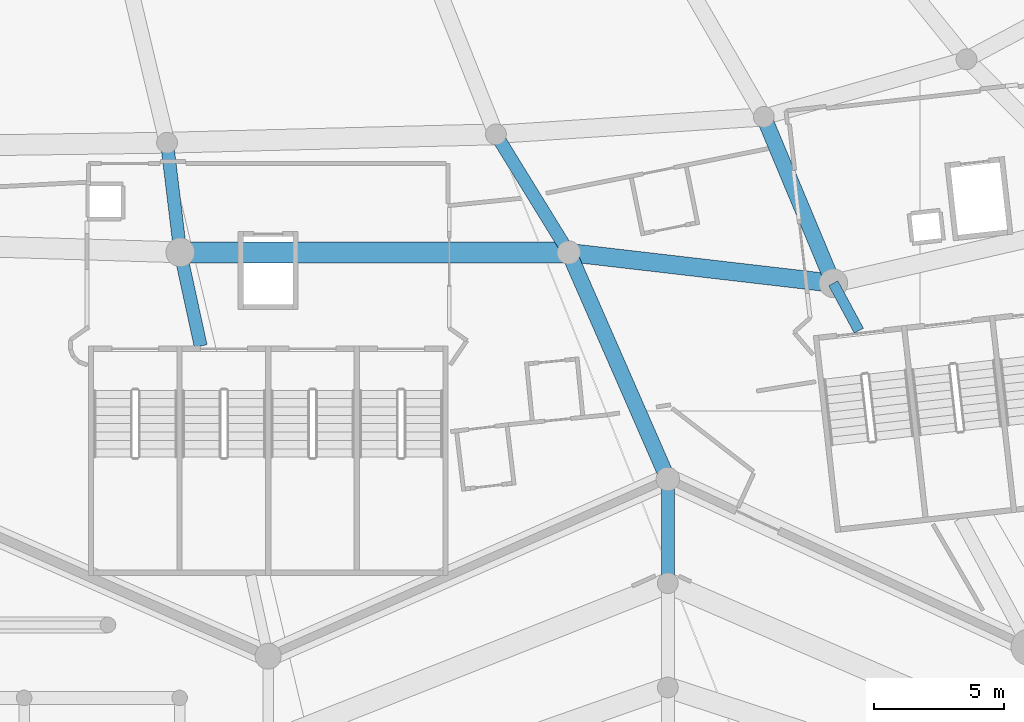
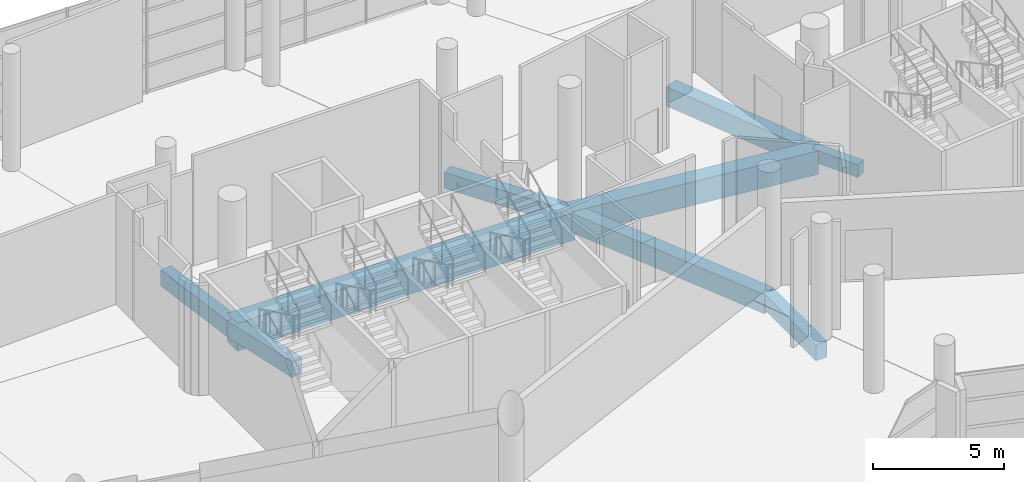
# One storey, part 41 of 271: 9 beams.
"""IFC4 building model written with IfcOpenShell, lengths in metres."""

import ifcopenshell
import ifcopenshell.guid

model = None  # the IFC model being written
_history = None  # IfcOwnerHistory: only IFC2X3 demands one
_inside = {}  # id of a spatial element -> (the spatial element, [elements in it])
_under = {}  # id of a project, library or spatial element -> (it, [spatial elements below it])
_declared = {}  # id of a project -> (the project, [libraries it declares])
_typed = {}  # id of a type object -> (the type object, [elements of that type])
_made_of = {}  # id of a material, layer set ... -> (it, [elements and type objects made of it])


def new_model(schema):
    """Start an empty IFC model of exactly this schema.

    Asked for "IFC4X3", IfcOpenShell would pick the latest addendum, in which some entities
    have other attributes; the version numbers below select the first issue.
    IFC2X3 requires an IfcOwnerHistory on every rooted entity: one is made here for all.
    """
    global model, _history
    if schema == "IFC4X3":
        model = ifcopenshell.file(schema_version=(4, 3, 0, 0))
    else:
        model = ifcopenshell.file(schema=schema)
    _inside.clear()
    _under.clear()
    _declared.clear()
    _typed.clear()
    _made_of.clear()
    _history = None
    if model.schema == "IFC2X3":
        org = make("IfcOrganization", Name="unknown")
        user = make(
            "IfcPersonAndOrganization",
            ThePerson=make("IfcPerson", FamilyName="unknown"),
            TheOrganization=org,
        )
        app = make(
            "IfcApplication",
            ApplicationDeveloper=org,
            Version="unknown",
            ApplicationFullName="unknown",
            ApplicationIdentifier="unknown",
        )
        _history = make(
            "IfcOwnerHistory",
            OwningUser=user,
            OwningApplication=app,
            ChangeAction="ADDED",
            CreationDate=0,
        )
    return model


def make(cls, **values):
    """One entity of the class cls with the attributes given. An attribute that is None is left unset."""
    return model.create_entity(
        cls, **{name: value for name, value in values.items() if value is not None}
    )


def rooted(cls, **values):
    """An entity with a GlobalId (a new one), such as an element, a storey or a relation."""
    return make(cls, GlobalId=ifcopenshell.guid.new(), OwnerHistory=_history, **values)


def si_unit(unit_type, name, prefix=None):
    """IfcSIUnit, for example si_unit("LENGTHUNIT", "METRE", prefix="MILLI")."""
    return make("IfcSIUnit", UnitType=unit_type, Prefix=prefix, Name=name)


def assignment(units):
    """IfcUnitAssignment: the units of a project."""
    return None if units is None else make("IfcUnitAssignment", Units=units)


def point(xyz):
    """IfcCartesianPoint."""
    return None if xyz is None else make("IfcCartesianPoint", Coordinates=xyz)


def direction(xyz):
    """IfcDirection."""
    return None if xyz is None else make("IfcDirection", DirectionRatios=xyz)


def frame(location, z_axis=None, x_axis=None):
    """IfcAxis2Placement3D, a coordinate frame: its origin and axes. An axis left out is left unset."""
    return make(
        "IfcAxis2Placement3D",
        Location=point(location),
        Axis=direction(z_axis),
        RefDirection=direction(x_axis),
    )


def frame_2d(location, x_axis=None):
    """IfcAxis2Placement2D, a coordinate frame in the plane: its origin and x axis."""
    return make(
        "IfcAxis2Placement2D", Location=point(location), RefDirection=direction(x_axis)
    )


def origin():
    """The frame at (0, 0, 0) with its axes left unset."""
    return frame((0.0, 0.0, 0.0))


def origin_2d():
    """The frame at (0, 0) in the plane with its x axis left unset."""
    return frame_2d((0.0, 0.0))


def place(relative_to, where):
    """IfcLocalPlacement: puts the frame where relative to a parent placement (None: the world)."""
    return make(
        "IfcLocalPlacement", PlacementRelTo=relative_to, RelativePlacement=where
    )


def context(
    kind, dimensions, precision=None, world=None, true_north=None, identifier=None
):
    """IfcGeometricRepresentationContext, for example the 3D "Model" context."""
    return make(
        "IfcGeometricRepresentationContext",
        ContextIdentifier=identifier,
        ContextType=kind,
        CoordinateSpaceDimension=dimensions,
        Precision=precision,
        WorldCoordinateSystem=world,
        TrueNorth=true_north,
    )


def subcontext(parent, identifier, kind, view, scale=None):
    """IfcGeometricRepresentationSubContext, for example "Body" below "Model"."""
    return make(
        "IfcGeometricRepresentationSubContext",
        ContextIdentifier=identifier,
        ContextType=kind,
        ParentContext=parent,
        TargetScale=scale,
        TargetView=view,
    )


def project(units=None, contexts=None):
    """IfcProject with its units and contexts."""
    return rooted(
        "IfcProject",
        Name="project",
        RepresentationContexts=contexts,
        UnitsInContext=assignment(units),
    )


def spatial(cls, under=None, at=None, **own):
    """A site, building, storey or space (cls), placed at a placement, below another one or the project."""
    s = rooted(cls, ObjectPlacement=at, **own)
    if under is not None:
        _under.setdefault(under.id(), (under, []))[1].append(s)
    return s


def profile(cls, at=None, kind="AREA", **sizes):
    """A parametric profile (cls). Its sizes go by their IFC names, for example OverallWidth=200.0."""
    return make(cls, ProfileType=kind, Position=at, **sizes)


def rectangle(**sizes):
    """IfcRectangleProfileDef."""
    return profile("IfcRectangleProfileDef", **sizes)


def extrude(swept, where, along, depth):
    """IfcExtrudedAreaSolid: the profile swept, set in the frame where, extruded along a direction by depth."""
    return make(
        "IfcExtrudedAreaSolid",
        SweptArea=swept,
        Position=where,
        ExtrudedDirection=direction(along),
        Depth=depth,
    )


def shape(context_of_items, identifier, shape_type, items):
    """IfcShapeRepresentation: the items that make up one representation, for example the "Body"."""
    return make(
        "IfcShapeRepresentation",
        ContextOfItems=context_of_items,
        RepresentationIdentifier=identifier,
        RepresentationType=shape_type,
        Items=items,
    )


def material(Name=None, Category=None):
    """IfcMaterial."""
    return make("IfcMaterial", Name=Name, Category=Category)


def material_profile(
    of_material, cross_section, Name=None, Category=None, Priority=None
):
    """IfcMaterialProfile: a cross section and its material."""
    return make(
        "IfcMaterialProfile",
        Name=Name,
        Material=of_material,
        Profile=cross_section,
        Priority=Priority,
        Category=Category,
    )


def profile_set(profiles, Name=None, composite=None):
    """IfcMaterialProfileSet."""
    return make(
        "IfcMaterialProfileSet",
        Name=Name,
        MaterialProfiles=profiles,
        CompositeProfile=composite,
    )


def made_of(thing, what):
    """Note that an element or type object is made of a material, layer set ...; save() writes the relation."""
    if what is not None:
        _made_of.setdefault(what.id(), (what, []))[1].append(thing)
    return thing


def type_object(cls, material=None, **own):
    """A type object (cls), such as IfcWallType, which elements share."""
    return made_of(rooted(cls, **own), material)


def element(
    cls,
    number,
    at=None,
    inside=None,
    cuts=None,
    type_object=None,
    material=None,
    context=None,
    identifier="Body",
    shape_type=None,
    held_by="IfcProductDefinitionShape",
    body=None,
    shapes=None,
    **own,
):
    """One element of the class cls, such as IfcWall. Its Tag is "e" and its number.

    at: its placement. inside: the storey or other place that contains it. cuts: it is an
    opening in that element (IfcRelVoidsElement). A single representation is given by context,
    identifier, shape_type and body (its items); several are given by shapes. held_by: the class
    of the entity that holds the representations. save() writes the other relations.
    """
    e = rooted(cls, Tag="e%d" % number, ObjectPlacement=at, **own)
    if body is not None:
        shapes = [shape(context, identifier, shape_type, body)]
    if shapes is not None:
        e.Representation = make(held_by, Representations=shapes)
    if inside is not None:
        _inside.setdefault(inside.id(), (inside, []))[1].append(e)
    if cuts is not None:
        rooted(
            "IfcRelVoidsElement", RelatingBuildingElement=cuts, RelatedOpeningElement=e
        )
    if type_object is not None:
        _typed.setdefault(type_object.id(), (type_object, []))[1].append(e)
    return made_of(e, material)


def aggregate(whole, parts):
    """IfcRelAggregates: a whole, such as a stair, and the parts it consists of."""
    return rooted("IfcRelAggregates", RelatingObject=whole, RelatedObjects=parts)


def save(model, path):
    """Write the relations noted so far, then the file.

    IfcRelAggregates (storeys below a building ...), IfcRelContainedInSpatialStructure (elements
    in a storey), IfcRelDefinesByType, IfcRelAssociatesMaterial and IfcRelDeclares: one each for
    every whole, place, type object, material and project.
    """
    for whole, parts in _under.values():
        aggregate(whole, parts)
    for where, things in _inside.values():
        rooted(
            "IfcRelContainedInSpatialStructure",
            RelatedElements=things,
            RelatingStructure=where,
        )
    for kind, things in _typed.values():
        rooted("IfcRelDefinesByType", RelatedObjects=things, RelatingType=kind)
    for what, things in _made_of.values():
        rooted("IfcRelAssociatesMaterial", RelatedObjects=things, RelatingMaterial=what)
    for by, libraries in _declared.values():
        rooted("IfcRelDeclares", RelatingContext=by, RelatedDefinitions=libraries)
    model.write(path)


model = new_model("IFC4")

# Units and contexts
model_context = context("Model", 3, precision=1e-05, world=origin(), true_north=direction((0.0, 1.0)))
body_context = subcontext(model_context, "Body", "Model", "MODEL_VIEW")
ifc_project = project(units=[si_unit("LENGTHUNIT", "METRE"), si_unit("AREAUNIT", "SQUARE_METRE"), si_unit("VOLUMEUNIT", "CUBIC_METRE"), si_unit("PLANEANGLEUNIT", "RADIAN"), si_unit("MASSUNIT", "GRAM", prefix="KILO")], contexts=[model_context])

# Site, building, storey
site_placement = place(None, origin())
site = spatial("IfcSite", under=ifc_project, at=site_placement, CompositionType="ELEMENT")
building_placement = place(site_placement, origin())
building = spatial("IfcBuilding", under=site, at=building_placement, Name="Meseta Stadium", CompositionType="ELEMENT")
storey_placement = place(building_placement, frame((0.0, 0.0, 6.5)))
storey = spatial("IfcBuildingStorey", under=building, at=storey_placement, Name="L01", CompositionType="ELEMENT", Elevation=6.5)

# Beams
ifc_material_1 = material(Name="Concrete C40/50", Category="concrete")
ifc_material_profile_1 = material_profile(ifc_material_1, rectangle(XDim=0.39990234375, YDim=0.60009765625, at=origin_2d()), Name="RC 400x600")
ifc_profile_set_1 = profile_set([ifc_material_profile_1], Name="Concrete C40/50")
beam_type_1 = type_object("IfcBeamType", Name="RC beam 400x600", PredefinedType="BEAM", material=ifc_profile_set_1)
beam_1_placement = place(storey_placement, frame((44.6826171875, -91.0908203125, -0.64990234375), z_axis=(0.474170370951, -0.880433108937, 0.0), x_axis=(0.880433108937, 0.474170370951, 0.0)))
element("IfcBeam", 1, at=beam_1_placement, inside=storey, type_object=beam_type_1, Name="L01 radial beam frame 50 line P to R", PredefinedType="BEAM", context=body_context, shape_type="SweptSolid", body=[
    extrude(rectangle(XDim=0.39990234375, YDim=0.60009765625, at=origin_2d()), origin(), (0.0, 0.0, 1.0), 2.063720703125),
])
ifc_material_2 = material(Name="Concrete C40/50", Category="concrete")
ifc_material_profile_2 = material_profile(ifc_material_2, rectangle(XDim=0.5, YDim=0.75, at=origin_2d()), Name="RC 500x750")
ifc_profile_set_2 = profile_set([ifc_material_profile_2], Name="Concrete C40/50")
beam_type_2 = type_object("IfcBeamType", Name="RC beam 500x750", PredefinedType="BEAM", material=ifc_profile_set_2)
beam_2_placement = place(storey_placement, frame((19.11865234375, -85.6982421875, -0.72509765625), z_axis=(0.120104176055, -0.992761294015, 0.0), x_axis=(0.992761294015, 0.120104176055, 0.0)))
element("IfcBeam", 2, at=beam_2_placement, inside=storey, type_object=beam_type_2, Name="L01 radial beam frame 48 line E to P", PredefinedType="BEAM", context=body_context, shape_type="SweptSolid", body=[
    extrude(rectangle(XDim=0.5, YDim=0.75, at=origin_2d()), origin(), (0.0, 0.0, 1.0), 4.236328125),
])
beam_3_placement = place(storey_placement, frame((19.62744140625, -89.90380859375, -0.72509765625), z_axis=(0.212671990307, -0.977123648541, 0.0), x_axis=(0.977123648541, 0.212671990307, 0.0)))
element("IfcBeam", 3, at=beam_3_placement, inside=storey, type_object=beam_type_2, Name="L01 radial beam frame 48 line P to R", PredefinedType="BEAM", context=body_context, shape_type="SweptSolid", body=[
    extrude(rectangle(XDim=0.5, YDim=0.75, at=origin_2d()), origin(), (0.0, 0.0, 1.0), 3.680419921875),
])
beam_4_placement = place(storey_placement, frame((31.73681640625, -85.376708984375, -0.72509765625), z_axis=(0.52451674702, -0.85140013043, 0.0), x_axis=(0.85140013043, 0.52451674702, 0.0)))
element("IfcBeam", 4, at=beam_4_placement, inside=storey, type_object=beam_type_2, Name="L01 radial beam frame 49 line E to P", PredefinedType="BEAM", context=body_context, shape_type="SweptSolid", body=[
    extrude(rectangle(XDim=0.5, YDim=0.75, at=origin_2d()), origin(), (0.0, 0.0, 1.0), 5.32666015625),
])
beam_5_placement = place(storey_placement, frame((38.333251953125, -98.60009765625, -0.72509765625), z_axis=(0.0, -1.0, 0.0), x_axis=(1.0, 0.0, 0.0)))
element("IfcBeam", 5, at=beam_5_placement, inside=storey, type_object=beam_type_2, Name="L01 radial beam frame 49 line R to M", PredefinedType="BEAM", context=body_context, shape_type="SweptSolid", body=[
    extrude(rectangle(XDim=0.5, YDim=0.75, at=origin_2d()), origin(), (0.0, 0.0, 1.0), 4.0),
])
ifc_material_3 = material(Name="Concrete C40/50", Category="concrete")
ifc_material_profile_3 = material_profile(ifc_material_3, rectangle(XDim=0.60009765625, YDim=0.89990234375, at=origin_2d()), Name="RC 600x900")
ifc_profile_set_3 = profile_set([ifc_material_profile_3], Name="Concrete C40/50")
beam_type_3 = type_object("IfcBeamType", Name="RC beam 600x900", PredefinedType="BEAM", material=ifc_profile_set_3)
beam_6_placement = place(storey_placement, frame((34.53076171875, -89.911865234375, -0.800048828125), z_axis=(0.4009417199, -0.91610356251, 0.0), x_axis=(0.91610356251, 0.4009417199, 0.0)))
element("IfcBeam", 6, at=beam_6_placement, inside=storey, type_object=beam_type_3, Name="L01 radial beam frame 49 line P to R", PredefinedType="BEAM", context=body_context, shape_type="SweptSolid", body=[
    extrude(rectangle(XDim=0.60009765625, YDim=0.89990234375, at=origin_2d()), origin(), (0.0, 0.0, 1.0), 9.48388671875),
])
beam_7_placement = place(storey_placement, frame((42.015380859375, -84.707275390625, -0.800048828125), z_axis=(0.385529780444, -0.922695393069, 0.0), x_axis=(0.922695393069, 0.385529780444, 0.0)))
element("IfcBeam", 7, at=beam_7_placement, inside=storey, type_object=beam_type_3, Name="L01 radial beam frame 50 line E to P", PredefinedType="BEAM", context=body_context, shape_type="SweptSolid", body=[
    extrude(rectangle(XDim=0.60009765625, YDim=0.89990234375, at=origin_2d()), origin(), (0.0, 0.0, 1.0), 6.91845703125),
])
ifc_material_4 = material(Name="Concrete C40/50", Category="concrete")
ifc_material_profile_4 = material_profile(ifc_material_4, rectangle(XDim=0.699951171875, YDim=1.10009765625, at=origin_2d()), Name="RC 700x1100")
ifc_profile_set_4 = profile_set([ifc_material_profile_4], Name="Concrete C40/50")
beam_type_4 = type_object("IfcBeamType", Name="RC beam 700x1100", PredefinedType="BEAM", material=ifc_profile_set_4)
beam_8_placement = place(storey_placement, frame((34.53076171875, -89.911865234375, -0.89990234375), z_axis=(0.993324132456, -0.115356698466, 0.0), x_axis=(0.115356698466, 0.993324132456, 0.0)))
element("IfcBeam", 8, at=beam_8_placement, inside=storey, type_object=beam_type_4, Name="L01 ring beam frame 49 line P", PredefinedType="BEAM", context=body_context, shape_type="SweptSolid", body=[
    extrude(rectangle(XDim=0.699951171875, YDim=1.10009765625, at=origin_2d()), origin(), (0.0, 0.0, 1.0), 10.219970703125),
])
ifc_material_5 = material(Name="Concrete C40/50", Category="concrete")
ifc_material_profile_5 = material_profile(ifc_material_5, rectangle(XDim=0.800048828125, YDim=1.300048828125, at=origin_2d()), Name="RC 800x1300")
ifc_profile_set_5 = profile_set([ifc_material_profile_5], Name="Concrete C40/50")
beam_type_5 = type_object("IfcBeamType", Name="RC beam 800x1300", PredefinedType="BEAM", material=ifc_profile_set_5)
beam_9_placement = place(storey_placement, frame((19.62744140625, -89.90380859375, -1.0), z_axis=(0.999999853879, -0.000540593591, 0.0), x_axis=(0.000540593591, 0.999999853879, 0.0)))
element("IfcBeam", 9, at=beam_9_placement, inside=storey, type_object=beam_type_5, Name="L01 ring beam frame 48 line P", PredefinedType="BEAM", context=body_context, shape_type="SweptSolid", body=[
    extrude(rectangle(XDim=0.800048828125, YDim=1.300048828125, at=origin_2d()), origin(), (0.0, 0.0, 1.0), 14.9033203125),
])

save(model, "model.ifc")
